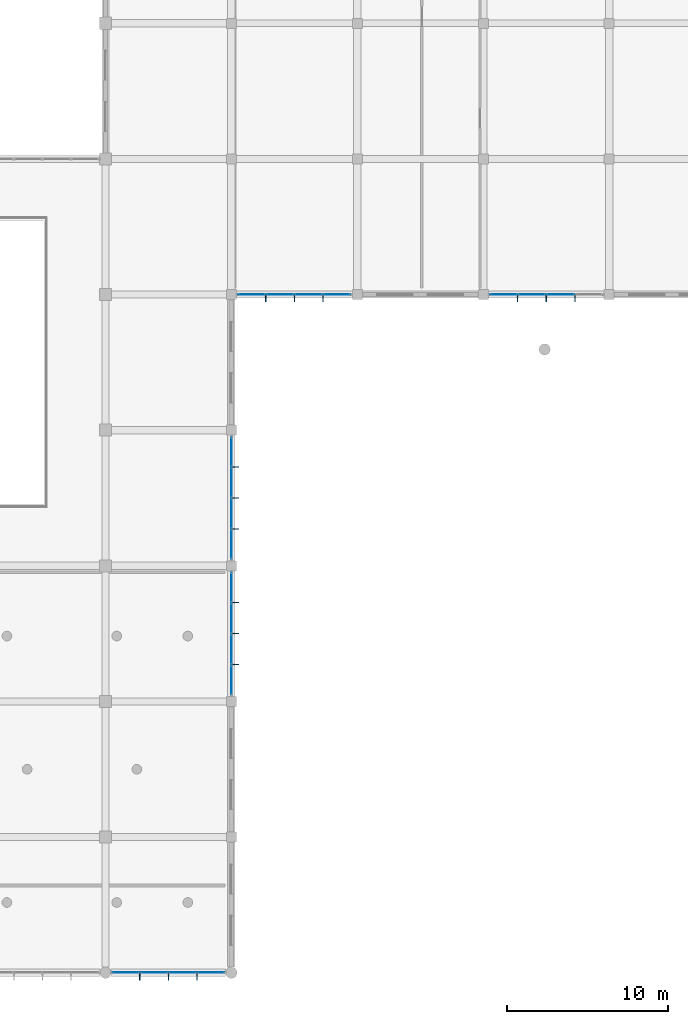
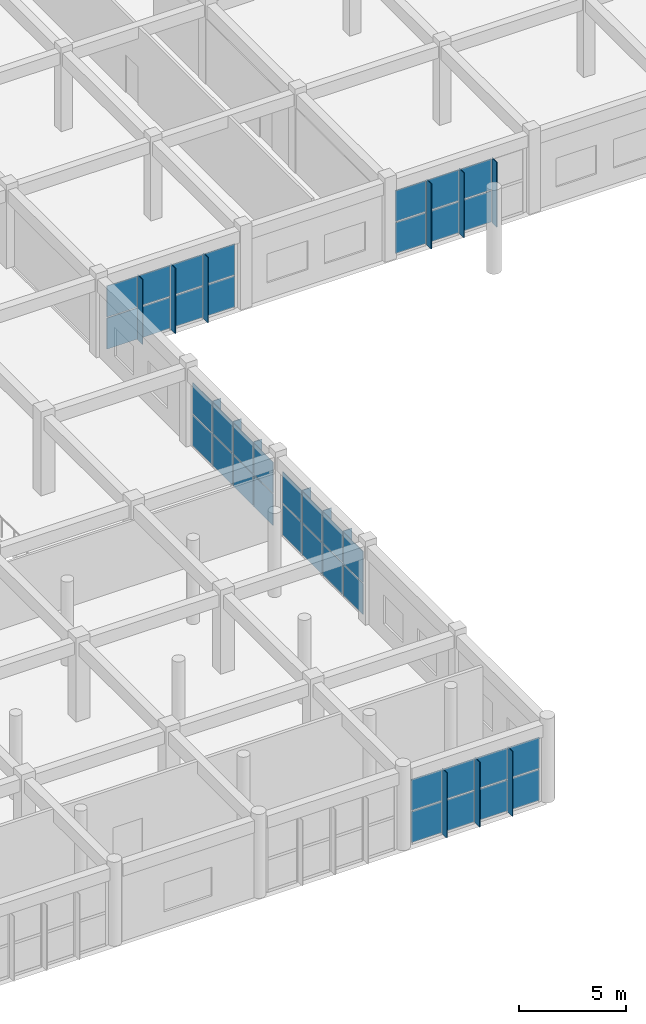
# One storey, part 139 of 167: 53 plates, 5 elements without a shape of their own.
"""IFC4 building model written with IfcOpenShell, lengths in metres."""

from ifc_helpers import new_model, si_unit, direction, frame, origin, origin_2d, place, context, subcontext, project, spatial, polyline, rectangle, outline, extrude, material, layer, layer_set, type_object, element, aggregate, save


model = new_model("IFC4")

# Units and contexts
model_context = context("Model", 3, precision=1e-05, world=origin(), true_north=direction((0.0, 1.0)))
body_context = subcontext(model_context, "Body", "Model", "MODEL_VIEW")
ifc_project = project(units=[si_unit("LENGTHUNIT", "METRE"), si_unit("AREAUNIT", "SQUARE_METRE"), si_unit("VOLUMEUNIT", "CUBIC_METRE"), si_unit("PLANEANGLEUNIT", "RADIAN"), si_unit("MASSUNIT", "GRAM", prefix="KILO")], contexts=[model_context])

# Site, building, storey
site_placement = place(None, origin())
site = spatial("IfcSite", under=ifc_project, at=site_placement, CompositionType="ELEMENT")
building_placement = place(site_placement, origin())
building = spatial("IfcBuilding", under=site, at=building_placement, Name="Zizhar Promenade General Hospital", CompositionType="ELEMENT")
storey_placement = place(building_placement, frame((0.0, 0.0, 9.60009765625)))
storey = spatial("IfcBuildingStorey", under=building, at=storey_placement, Name="L02", CompositionType="ELEMENT", Elevation=9.60009765625)

# Curtain wall, plates
ifc_material_1 = material(Name="Anodised aluminium 6063-T6 and low-E glass", Category="aluminium")
ifc_layer_1 = layer(ifc_material_1, 0.159912109375)
ifc_layer_set_1 = layer_set([ifc_layer_1], Name="Anodised aluminium 6063-T6 and low-E glass")
curtain_wall_type_1 = type_object("IfcCurtainWallType", Name="CW-DT-MOD1", PredefinedType="NOTDEFINED", material=ifc_layer_set_1)
curtain_wall_1_placement = place(storey_placement, origin())
curtain_wall_1 = element("IfcCurtainWall", 1, at=curtain_wall_1_placement, inside=storey, type_object=curtain_wall_type_1, Name="Riverfront Clinical Curtain Wall L02-15", PredefinedType="NOTDEFINED")
ifc_material_2 = material(Name="Low-E solar-control glass", Category="glass")
ifc_layer_2 = layer(ifc_material_2, 0.031982421875)
ifc_layer_set_2 = layer_set([ifc_layer_2], Name="Low-E solar-control glass")
plate_type_1 = type_object("IfcPlateType", Name="CWP-GLZ-32", PredefinedType="CURTAIN_PANEL", material=ifc_layer_set_2)
plate_1_placement = place(storey_placement, frame((131.3349609375, 0.0, 0.06005859375), z_axis=(0.0, 0.0, 1.0), x_axis=(-1.0, 0.0, 0.0)))
plate_1 = element("IfcPlate", 2, at=plate_1_placement, type_object=plate_type_1, Name="CW-07 panel 1.1", PredefinedType="CURTAIN_PANEL", context=body_context, shape_type="SweptSolid", body=[
    extrude(rectangle(XDim=1.64990234375, YDim=0.031982421875, at=origin_2d()), origin(), (0.0, 0.0, 1.0), 1.77490234375),
])
plate_2_placement = place(storey_placement, frame((131.3349609375, 0.0, 1.89501953125), z_axis=(0.0, 0.0, 1.0), x_axis=(-1.0, 0.0, 0.0)))
plate_2 = element("IfcPlate", 3, at=plate_2_placement, type_object=plate_type_1, Name="CW-07 panel 1.2", PredefinedType="CURTAIN_PANEL", context=body_context, shape_type="SweptSolid", body=[
    extrude(rectangle(XDim=1.64990234375, YDim=0.031982421875, at=origin_2d()), origin(), (0.0, 0.0, 1.0), 1.77490234375),
])
plate_3_placement = place(storey_placement, frame((129.5849609375, 0.0, 0.06005859375), z_axis=(0.0, 0.0, 1.0), x_axis=(-1.0, 0.0, 0.0)))
plate_3 = element("IfcPlate", 4, at=plate_3_placement, type_object=plate_type_1, Name="CW-07 panel 2.1", PredefinedType="CURTAIN_PANEL", context=body_context, shape_type="SweptSolid", body=[
    extrude(rectangle(XDim=1.68994140625, YDim=0.031982421875, at=origin_2d()), origin(), (0.0, 0.0, 1.0), 1.77490234375),
])
plate_4_placement = place(storey_placement, frame((129.5849609375, 0.0, 1.89501953125), z_axis=(0.0, 0.0, 1.0), x_axis=(-1.0, 0.0, 0.0)))
plate_4 = element("IfcPlate", 5, at=plate_4_placement, type_object=plate_type_1, Name="CW-07 panel 2.2", PredefinedType="CURTAIN_PANEL", context=body_context, shape_type="SweptSolid", body=[
    extrude(rectangle(XDim=1.68994140625, YDim=0.031982421875, at=origin_2d()), origin(), (0.0, 0.0, 1.0), 1.77490234375),
])
plate_5_placement = place(storey_placement, frame((127.81494140625, 0.0, 0.06005859375), z_axis=(0.0, 0.0, 1.0), x_axis=(-1.0, 0.0, 0.0)))
plate_5 = element("IfcPlate", 6, at=plate_5_placement, type_object=plate_type_1, Name="CW-07 panel 3.1", PredefinedType="CURTAIN_PANEL", context=body_context, shape_type="SweptSolid", body=[
    extrude(rectangle(XDim=1.68994140625, YDim=0.031982421875, at=origin_2d()), origin(), (0.0, 0.0, 1.0), 1.77490234375),
])
plate_6_placement = place(storey_placement, frame((127.81494140625, 0.0, 1.89501953125), z_axis=(0.0, 0.0, 1.0), x_axis=(-1.0, 0.0, 0.0)))
plate_6 = element("IfcPlate", 7, at=plate_6_placement, type_object=plate_type_1, Name="CW-07 panel 3.2", PredefinedType="CURTAIN_PANEL", context=body_context, shape_type="SweptSolid", body=[
    extrude(rectangle(XDim=1.68994140625, YDim=0.031982421875, at=origin_2d()), origin(), (0.0, 0.0, 1.0), 1.77490234375),
])
plate_7_placement = place(storey_placement, frame((126.06494140625, 0.0, 0.06005859375), z_axis=(0.0, 0.0, 1.0), x_axis=(-1.0, 0.0, 0.0)))
plate_7 = element("IfcPlate", 8, at=plate_7_placement, type_object=plate_type_1, Name="CW-07 panel 4.1", PredefinedType="CURTAIN_PANEL", context=body_context, shape_type="SweptSolid", body=[
    extrude(rectangle(XDim=1.64990234375, YDim=0.031982421875, at=origin_2d()), origin(), (0.0, 0.0, 1.0), 1.77490234375),
])
plate_8_placement = place(storey_placement, frame((126.06494140625, 0.0, 1.89501953125), z_axis=(0.0, 0.0, 1.0), x_axis=(-1.0, 0.0, 0.0)))
plate_8 = element("IfcPlate", 9, at=plate_8_placement, type_object=plate_type_1, Name="CW-07 panel 4.2", PredefinedType="CURTAIN_PANEL", context=body_context, shape_type="SweptSolid", body=[
    extrude(rectangle(XDim=1.64990234375, YDim=0.031982421875, at=origin_2d()), origin(), (0.0, 0.0, 1.0), 1.77490234375),
])
aggregate(curtain_wall_1, [plate_1, plate_2, plate_3, plate_4, plate_5, plate_6, plate_7, plate_8])

ifc_material_3 = material(Name="Anodised aluminium 6063-T6 and low-E glass", Category="aluminium")
ifc_layer_3 = layer(ifc_material_3, 0.159912109375)
ifc_layer_set_3 = layer_set([ifc_layer_3], Name="Anodised aluminium 6063-T6 and low-E glass")
curtain_wall_type_2 = type_object("IfcCurtainWallType", Name="CW-CLN-EXT", PredefinedType="NOTDEFINED", material=ifc_layer_set_3)
curtain_wall_2_placement = place(storey_placement, origin())
curtain_wall_2 = element("IfcCurtainWall", 10, at=curtain_wall_2_placement, inside=storey, type_object=curtain_wall_type_2, Name="Outpatient Forecourt Curtain Wall L02-17", PredefinedType="NOTDEFINED")
plate_9_placement = place(storey_placement, frame((139.135009765625, 42.0, 0.06005859375), z_axis=(0.0, 0.0, 1.0), x_axis=(-1.0, 0.0, 0.0)))
plate_9 = element("IfcPlate", 11, at=plate_9_placement, type_object=plate_type_1, Name="CW-09 panel 1.1", PredefinedType="CURTAIN_PANEL", context=body_context, shape_type="SweptSolid", body=[
    extrude(rectangle(XDim=1.64990234375, YDim=0.031982421875, at=origin_2d()), origin(), (0.0, 0.0, 1.0), 1.77490234375),
])
plate_10_placement = place(storey_placement, frame((139.135009765625, 42.0, 1.89501953125), z_axis=(0.0, 0.0, 1.0), x_axis=(-1.0, 0.0, 0.0)))
plate_10 = element("IfcPlate", 12, at=plate_10_placement, type_object=plate_type_1, Name="CW-09 panel 1.2", PredefinedType="CURTAIN_PANEL", context=body_context, shape_type="SweptSolid", body=[
    extrude(rectangle(XDim=1.64990234375, YDim=0.031982421875, at=origin_2d()), origin(), (0.0, 0.0, 1.0), 1.77490234375),
])
plate_11_placement = place(storey_placement, frame((137.385009765625, 42.0, 0.06005859375), z_axis=(0.0, 0.0, 1.0), x_axis=(-1.0, 0.0, 0.0)))
plate_11 = element("IfcPlate", 13, at=plate_11_placement, type_object=plate_type_1, Name="CW-09 panel 2.1", PredefinedType="CURTAIN_PANEL", context=body_context, shape_type="SweptSolid", body=[
    extrude(rectangle(XDim=1.68994140625, YDim=0.031982421875, at=origin_2d()), origin(), (0.0, 0.0, 1.0), 1.77490234375),
])
plate_12_placement = place(storey_placement, frame((137.385009765625, 42.0, 1.89501953125), z_axis=(0.0, 0.0, 1.0), x_axis=(-1.0, 0.0, 0.0)))
plate_12 = element("IfcPlate", 14, at=plate_12_placement, type_object=plate_type_1, Name="CW-09 panel 2.2", PredefinedType="CURTAIN_PANEL", context=body_context, shape_type="SweptSolid", body=[
    extrude(rectangle(XDim=1.68994140625, YDim=0.031982421875, at=origin_2d()), origin(), (0.0, 0.0, 1.0), 1.77490234375),
])
plate_13_placement = place(storey_placement, frame((135.614990234375, 42.0, 0.06005859375), z_axis=(0.0, 0.0, 1.0), x_axis=(-1.0, 0.0, 0.0)))
plate_13 = element("IfcPlate", 15, at=plate_13_placement, type_object=plate_type_1, Name="CW-09 panel 3.1", PredefinedType="CURTAIN_PANEL", context=body_context, shape_type="SweptSolid", body=[
    extrude(rectangle(XDim=1.68994140625, YDim=0.031982421875, at=origin_2d()), origin(), (0.0, 0.0, 1.0), 1.77490234375),
])
plate_14_placement = place(storey_placement, frame((135.614990234375, 42.0, 1.89501953125), z_axis=(0.0, 0.0, 1.0), x_axis=(-1.0, 0.0, 0.0)))
plate_14 = element("IfcPlate", 16, at=plate_14_placement, type_object=plate_type_1, Name="CW-09 panel 3.2", PredefinedType="CURTAIN_PANEL", context=body_context, shape_type="SweptSolid", body=[
    extrude(rectangle(XDim=1.68994140625, YDim=0.031982421875, at=origin_2d()), origin(), (0.0, 0.0, 1.0), 1.77490234375),
])
plate_15_placement = place(storey_placement, frame((133.864990234375, 42.0, 0.06005859375), z_axis=(0.0, 0.0, 1.0), x_axis=(-1.0, 0.0, 0.0)))
plate_15 = element("IfcPlate", 17, at=plate_15_placement, type_object=plate_type_1, Name="CW-09 panel 4.1", PredefinedType="CURTAIN_PANEL", context=body_context, shape_type="SweptSolid", body=[
    extrude(rectangle(XDim=1.64990234375, YDim=0.031982421875, at=origin_2d()), origin(), (0.0, 0.0, 1.0), 1.77490234375),
])
plate_16_placement = place(storey_placement, frame((133.864990234375, 42.0, 1.89501953125), z_axis=(0.0, 0.0, 1.0), x_axis=(-1.0, 0.0, 0.0)))
plate_16 = element("IfcPlate", 18, at=plate_16_placement, type_object=plate_type_1, Name="CW-09 panel 4.2", PredefinedType="CURTAIN_PANEL", context=body_context, shape_type="SweptSolid", body=[
    extrude(rectangle(XDim=1.64990234375, YDim=0.031982421875, at=origin_2d()), origin(), (0.0, 0.0, 1.0), 1.77490234375),
])
aggregate(curtain_wall_2, [plate_9, plate_10, plate_11, plate_12, plate_13, plate_14, plate_15, plate_16])

curtain_wall_3_placement = place(storey_placement, origin())
curtain_wall_3 = element("IfcCurtainWall", 19, at=curtain_wall_3_placement, inside=storey, type_object=curtain_wall_type_2, Name="Outpatient Forecourt Curtain Wall L02-19", PredefinedType="NOTDEFINED")
plate_17_placement = place(storey_placement, frame((152.985107421875, 42.0, 0.06005859375), z_axis=(0.0, 0.0, 1.0), x_axis=(-1.0, 0.0, 0.0)))
plate_17 = element("IfcPlate", 20, at=plate_17_placement, type_object=plate_type_1, Name="CW-09 panel 2.1", PredefinedType="CURTAIN_PANEL", context=body_context, shape_type="SweptSolid", body=[
    extrude(rectangle(XDim=1.68994140625, YDim=0.031982421875, at=origin_2d()), origin(), (0.0, 0.0, 1.0), 1.77490234375),
])
plate_18_placement = place(storey_placement, frame((152.985107421875, 42.0, 1.89501953125), z_axis=(0.0, 0.0, 1.0), x_axis=(-1.0, 0.0, 0.0)))
plate_18 = element("IfcPlate", 21, at=plate_18_placement, type_object=plate_type_1, Name="CW-09 panel 2.2", PredefinedType="CURTAIN_PANEL", context=body_context, shape_type="SweptSolid", body=[
    extrude(rectangle(XDim=1.68994140625, YDim=0.031982421875, at=origin_2d()), origin(), (0.0, 0.0, 1.0), 1.77490234375),
])
plate_19_placement = place(storey_placement, frame((151.215087890625, 42.0, 0.06005859375), z_axis=(0.0, 0.0, 1.0), x_axis=(-1.0, 0.0, 0.0)))
plate_19 = element("IfcPlate", 22, at=plate_19_placement, type_object=plate_type_1, Name="CW-09 panel 3.1", PredefinedType="CURTAIN_PANEL", context=body_context, shape_type="SweptSolid", body=[
    extrude(rectangle(XDim=1.68994140625, YDim=0.031982421875, at=origin_2d()), origin(), (0.0, 0.0, 1.0), 1.77490234375),
])
plate_20_placement = place(storey_placement, frame((151.215087890625, 42.0, 1.89501953125), z_axis=(0.0, 0.0, 1.0), x_axis=(-1.0, 0.0, 0.0)))
plate_20 = element("IfcPlate", 23, at=plate_20_placement, type_object=plate_type_1, Name="CW-09 panel 3.2", PredefinedType="CURTAIN_PANEL", context=body_context, shape_type="SweptSolid", body=[
    extrude(rectangle(XDim=1.68994140625, YDim=0.031982421875, at=origin_2d()), origin(), (0.0, 0.0, 1.0), 1.77490234375),
])
plate_21_placement = place(storey_placement, frame((149.465087890625, 42.0, 0.06005859375), z_axis=(0.0, 0.0, 1.0), x_axis=(-1.0, 0.0, 0.0)))
plate_21 = element("IfcPlate", 24, at=plate_21_placement, type_object=plate_type_1, Name="CW-09 panel 4.1", PredefinedType="CURTAIN_PANEL", context=body_context, shape_type="SweptSolid", body=[
    extrude(rectangle(XDim=1.64990234375, YDim=0.031982421875, at=origin_2d()), origin(), (0.0, 0.0, 1.0), 1.77490234375),
])
plate_22_placement = place(storey_placement, frame((149.465087890625, 42.0, 1.89501953125), z_axis=(0.0, 0.0, 1.0), x_axis=(-1.0, 0.0, 0.0)))
plate_22 = element("IfcPlate", 25, at=plate_22_placement, type_object=plate_type_1, Name="CW-09 panel 4.2", PredefinedType="CURTAIN_PANEL", context=body_context, shape_type="SweptSolid", body=[
    extrude(rectangle(XDim=1.64990234375, YDim=0.031982421875, at=origin_2d()), origin(), (0.0, 0.0, 1.0), 1.77490234375),
])
aggregate(curtain_wall_3, [plate_17, plate_18, plate_19, plate_20, plate_21, plate_22])

ifc_material_4 = material(Name="Anodised aluminium 6063-T6 and low-E glass", Category="aluminium")
ifc_layer_4 = layer(ifc_material_4, 0.159912109375)
ifc_layer_set_4 = layer_set([ifc_layer_4], Name="Anodised aluminium 6063-T6 and low-E glass")
curtain_wall_type_3 = type_object("IfcCurtainWallType", Name="CW-HALL-S", PredefinedType="NOTDEFINED", material=ifc_layer_set_4)
curtain_wall_4_placement = place(storey_placement, origin())
curtain_wall_4 = element("IfcCurtainWall", 26, at=curtain_wall_4_placement, inside=storey, type_object=curtain_wall_type_3, Name="Forecourt Arrival Glazed Curtain Wall L02-2", PredefinedType="NOTDEFINED")
plate_23_placement = place(storey_placement, frame((132.60009765625, 23.860107421875, 0.06005859375), z_axis=(0.0, 0.0, 1.0), x_axis=(0.0, -1.0, 0.0)))
plate_23 = element("IfcPlate", 27, at=plate_23_placement, type_object=plate_type_1, Name="CW-01 panel 1.1", PredefinedType="CURTAIN_PANEL", context=body_context, shape_type="SweptSolid", body=[
    extrude(rectangle(XDim=1.800048828125, YDim=0.031982421875, at=origin_2d()), origin(), (0.0, 0.0, 1.0), 1.77490234375),
])
plate_24_placement = place(storey_placement, frame((132.60009765625, 23.860107421875, 1.89501953125), z_axis=(0.0, 0.0, 1.0), x_axis=(0.0, -1.0, 0.0)))
plate_24 = element("IfcPlate", 28, at=plate_24_placement, type_object=plate_type_1, Name="CW-01 panel 1.2", PredefinedType="CURTAIN_PANEL", context=body_context, shape_type="SweptSolid", body=[
    extrude(rectangle(XDim=1.800048828125, YDim=0.031982421875, at=origin_2d()), origin(), (0.0, 0.0, 1.0), 1.77490234375),
])
plate_25_placement = place(storey_placement, frame((132.60009765625, 21.9599609375, 0.06005859375), z_axis=(0.0, 0.0, 1.0), x_axis=(0.0, -1.0, 0.0)))
plate_25 = element("IfcPlate", 29, at=plate_25_placement, type_object=plate_type_1, Name="CW-01 panel 2.1", PredefinedType="CURTAIN_PANEL", context=body_context, shape_type="SweptSolid", body=[
    extrude(rectangle(XDim=1.840087890625, YDim=0.031982421875, at=origin_2d()), origin(), (0.0, 0.0, 1.0), 1.77490234375),
])
plate_26_placement = place(storey_placement, frame((132.60009765625, 21.9599609375, 1.89501953125), z_axis=(0.0, 0.0, 1.0), x_axis=(0.0, -1.0, 0.0)))
plate_26 = element("IfcPlate", 30, at=plate_26_placement, type_object=plate_type_1, Name="CW-01 panel 2.2", PredefinedType="CURTAIN_PANEL", context=body_context, shape_type="SweptSolid", body=[
    extrude(rectangle(XDim=1.840087890625, YDim=0.031982421875, at=origin_2d()), origin(), (0.0, 0.0, 1.0), 1.77490234375),
])
plate_27_placement = place(storey_placement, frame((132.60009765625, 20.0400390625, 0.06005859375), z_axis=(0.0, 0.0, 1.0), x_axis=(0.0, -1.0, 0.0)))
plate_27 = element("IfcPlate", 31, at=plate_27_placement, type_object=plate_type_1, Name="CW-01 panel 3.1", PredefinedType="CURTAIN_PANEL", context=body_context, shape_type="SweptSolid", body=[
    extrude(rectangle(XDim=1.840087890625, YDim=0.031982421875, at=origin_2d()), origin(), (0.0, 0.0, 1.0), 1.77490234375),
])
plate_28_placement = place(storey_placement, frame((132.60009765625, 20.0400390625, 1.89501953125), z_axis=(0.0, 0.0, 1.0), x_axis=(0.0, -1.0, 0.0)))
plate_28 = element("IfcPlate", 32, at=plate_28_placement, type_object=plate_type_1, Name="CW-01 panel 3.2", PredefinedType="CURTAIN_PANEL", context=body_context, shape_type="SweptSolid", body=[
    extrude(rectangle(XDim=1.840087890625, YDim=0.031982421875, at=origin_2d()), origin(), (0.0, 0.0, 1.0), 1.77490234375),
])
plate_29_placement = place(storey_placement, frame((132.60009765625, 18.139892578125, 0.06005859375), z_axis=(0.0, 0.0, 1.0), x_axis=(0.0, -1.0, 0.0)))
plate_29 = element("IfcPlate", 33, at=plate_29_placement, type_object=plate_type_1, Name="CW-01 panel 4.1", PredefinedType="CURTAIN_PANEL", context=body_context, shape_type="SweptSolid", body=[
    extrude(rectangle(XDim=1.800048828125, YDim=0.031982421875, at=origin_2d()), origin(), (0.0, 0.0, 1.0), 1.77490234375),
])
plate_30_placement = place(storey_placement, frame((132.60009765625, 18.139892578125, 1.89501953125), z_axis=(0.0, 0.0, 1.0), x_axis=(0.0, -1.0, 0.0)))
plate_30 = element("IfcPlate", 34, at=plate_30_placement, type_object=plate_type_1, Name="CW-01 panel 4.2", PredefinedType="CURTAIN_PANEL", context=body_context, shape_type="SweptSolid", body=[
    extrude(rectangle(XDim=1.800048828125, YDim=0.031982421875, at=origin_2d()), origin(), (0.0, 0.0, 1.0), 1.77490234375),
])
aggregate(curtain_wall_4, [plate_23, plate_24, plate_25, plate_26, plate_27, plate_28, plate_29, plate_30])

curtain_wall_5_placement = place(storey_placement, origin())
curtain_wall_5 = element("IfcCurtainWall", 35, at=curtain_wall_5_placement, inside=storey, type_object=curtain_wall_type_3, Name="Forecourt Arrival Glazed Curtain Wall L02-3", PredefinedType="NOTDEFINED")
plate_31_placement = place(storey_placement, frame((132.60009765625, 32.260009765625, 0.06005859375), z_axis=(0.0, 0.0, 1.0), x_axis=(0.0, -1.0, 0.0)))
plate_31 = element("IfcPlate", 36, at=plate_31_placement, type_object=plate_type_1, Name="CW-01 panel 1.1", PredefinedType="CURTAIN_PANEL", context=body_context, shape_type="SweptSolid", body=[
    extrude(rectangle(XDim=1.800048828125, YDim=0.031982421875, at=origin_2d()), origin(), (0.0, 0.0, 1.0), 1.77490234375),
])
plate_32_placement = place(storey_placement, frame((132.60009765625, 32.260009765625, 1.89501953125), z_axis=(0.0, 0.0, 1.0), x_axis=(0.0, -1.0, 0.0)))
plate_32 = element("IfcPlate", 37, at=plate_32_placement, type_object=plate_type_1, Name="CW-01 panel 1.2", PredefinedType="CURTAIN_PANEL", context=body_context, shape_type="SweptSolid", body=[
    extrude(rectangle(XDim=1.800048828125, YDim=0.031982421875, at=origin_2d()), origin(), (0.0, 0.0, 1.0), 1.77490234375),
])
plate_33_placement = place(storey_placement, frame((132.60009765625, 30.360107421875, 0.06005859375), z_axis=(0.0, 0.0, 1.0), x_axis=(0.0, -1.0, 0.0)))
plate_33 = element("IfcPlate", 38, at=plate_33_placement, type_object=plate_type_1, Name="CW-01 panel 2.1", PredefinedType="CURTAIN_PANEL", context=body_context, shape_type="SweptSolid", body=[
    extrude(rectangle(XDim=1.840087890625, YDim=0.031982421875, at=origin_2d()), origin(), (0.0, 0.0, 1.0), 1.77490234375),
])
plate_34_placement = place(storey_placement, frame((132.60009765625, 30.360107421875, 1.89501953125), z_axis=(0.0, 0.0, 1.0), x_axis=(0.0, -1.0, 0.0)))
plate_34 = element("IfcPlate", 39, at=plate_34_placement, type_object=plate_type_1, Name="CW-01 panel 2.2", PredefinedType="CURTAIN_PANEL", context=body_context, shape_type="SweptSolid", body=[
    extrude(rectangle(XDim=1.840087890625, YDim=0.031982421875, at=origin_2d()), origin(), (0.0, 0.0, 1.0), 1.77490234375),
])
plate_35_placement = place(storey_placement, frame((132.60009765625, 28.43994140625, 0.06005859375), z_axis=(0.0, 0.0, 1.0), x_axis=(0.0, -1.0, 0.0)))
plate_35 = element("IfcPlate", 40, at=plate_35_placement, type_object=plate_type_1, Name="CW-01 panel 3.1", PredefinedType="CURTAIN_PANEL", context=body_context, shape_type="SweptSolid", body=[
    extrude(rectangle(XDim=1.840087890625, YDim=0.031982421875, at=origin_2d()), origin(), (0.0, 0.0, 1.0), 1.77490234375),
])
plate_36_placement = place(storey_placement, frame((132.60009765625, 28.43994140625, 1.89501953125), z_axis=(0.0, 0.0, 1.0), x_axis=(0.0, -1.0, 0.0)))
plate_36 = element("IfcPlate", 41, at=plate_36_placement, type_object=plate_type_1, Name="CW-01 panel 3.2", PredefinedType="CURTAIN_PANEL", context=body_context, shape_type="SweptSolid", body=[
    extrude(rectangle(XDim=1.840087890625, YDim=0.031982421875, at=origin_2d()), origin(), (0.0, 0.0, 1.0), 1.77490234375),
])
plate_37_placement = place(storey_placement, frame((132.60009765625, 26.5400390625, 0.06005859375), z_axis=(0.0, 0.0, 1.0), x_axis=(0.0, -1.0, 0.0)))
plate_37 = element("IfcPlate", 42, at=plate_37_placement, type_object=plate_type_1, Name="CW-01 panel 4.1", PredefinedType="CURTAIN_PANEL", context=body_context, shape_type="SweptSolid", body=[
    extrude(rectangle(XDim=1.800048828125, YDim=0.031982421875, at=origin_2d()), origin(), (0.0, 0.0, 1.0), 1.77490234375),
])
plate_38_placement = place(storey_placement, frame((132.60009765625, 26.5400390625, 1.89501953125), z_axis=(0.0, 0.0, 1.0), x_axis=(0.0, -1.0, 0.0)))
plate_38 = element("IfcPlate", 43, at=plate_38_placement, type_object=plate_type_1, Name="CW-01 panel 4.2", PredefinedType="CURTAIN_PANEL", context=body_context, shape_type="SweptSolid", body=[
    extrude(rectangle(XDim=1.800048828125, YDim=0.031982421875, at=origin_2d()), origin(), (0.0, 0.0, 1.0), 1.77490234375),
])
aggregate(curtain_wall_5, [plate_31, plate_32, plate_33, plate_34, plate_35, plate_36, plate_37, plate_38])

# Plates
ifc_material_5 = material(Name="Anodised aluminium 6063-T6", Category="aluminium")
ifc_layer_5 = layer(ifc_material_5, 0.0400390625)
ifc_layer_set_5 = layer_set([ifc_layer_5], Name="Anodised aluminium 6063-T6")
plate_type_2 = type_object("IfcPlateType", Name="FIN-ALU-450", PredefinedType="USERDEFINED", material=ifc_layer_set_5)
plate_39_placement = place(storey_placement, origin())
element("IfcPlate", 44, at=plate_39_placement, inside=storey, type_object=plate_type_2, Name="Riverfront Clinical Curtain Wall L02-15 Solar Fin 1", ObjectType="SOLAR_SHADE", PredefinedType="USERDEFINED", context=body_context, shape_type="SweptSolid", body=[
    extrude(outline(polyline([(130.489990234375, 0.0), (130.449951171875, 0.0), (130.449951171875, -0.449951171875), (130.489990234375, -0.449951171875), (130.489990234375, 0.0)])), origin(), (0.0, 0.0, 1.0), 3.72998046875),
])
plate_40_placement = place(storey_placement, origin())
element("IfcPlate", 45, at=plate_40_placement, inside=storey, type_object=plate_type_2, Name="Riverfront Clinical Curtain Wall L02-15 Solar Fin 2", ObjectType="SOLAR_SHADE", PredefinedType="USERDEFINED", context=body_context, shape_type="SweptSolid", body=[
    extrude(outline(polyline([(128.719970703125, 0.0), (128.679931640625, 0.0), (128.679931640625, -0.449951171875), (128.719970703125, -0.449951171875), (128.719970703125, 0.0)])), origin(), (0.0, 0.0, 1.0), 3.72998046875),
])
plate_41_placement = place(storey_placement, origin())
element("IfcPlate", 46, at=plate_41_placement, inside=storey, type_object=plate_type_2, Name="Riverfront Clinical Curtain Wall L02-15 Solar Fin 3", ObjectType="SOLAR_SHADE", PredefinedType="USERDEFINED", context=body_context, shape_type="SweptSolid", body=[
    extrude(outline(polyline([(126.949951171875, 0.0), (126.909912109375, 0.0), (126.909912109375, -0.449951171875), (126.949951171875, -0.449951171875), (126.949951171875, 0.0)])), origin(), (0.0, 0.0, 1.0), 3.72998046875),
])
plate_42_placement = place(storey_placement, origin())
element("IfcPlate", 47, at=plate_42_placement, inside=storey, type_object=plate_type_2, Name="Outpatient Forecourt Curtain Wall L02-17 Solar Fin 1", ObjectType="SOLAR_SHADE", PredefinedType="USERDEFINED", context=body_context, shape_type="SweptSolid", body=[
    extrude(outline(polyline([(138.2900390625, 42.0), (138.25, 42.0), (138.25, 41.550048828125), (138.2900390625, 41.550048828125), (138.2900390625, 42.0)])), origin(), (0.0, 0.0, 1.0), 3.72998046875),
])
plate_43_placement = place(storey_placement, origin())
element("IfcPlate", 48, at=plate_43_placement, inside=storey, type_object=plate_type_2, Name="Outpatient Forecourt Curtain Wall L02-17 Solar Fin 2", ObjectType="SOLAR_SHADE", PredefinedType="USERDEFINED", context=body_context, shape_type="SweptSolid", body=[
    extrude(outline(polyline([(136.52001953125, 42.0), (136.47998046875, 42.0), (136.47998046875, 41.550048828125), (136.52001953125, 41.550048828125), (136.52001953125, 42.0)])), origin(), (0.0, 0.0, 1.0), 3.72998046875),
])
plate_44_placement = place(storey_placement, origin())
element("IfcPlate", 49, at=plate_44_placement, inside=storey, type_object=plate_type_2, Name="Outpatient Forecourt Curtain Wall L02-17 Solar Fin 3", ObjectType="SOLAR_SHADE", PredefinedType="USERDEFINED", context=body_context, shape_type="SweptSolid", body=[
    extrude(outline(polyline([(134.75, 42.0), (134.7099609375, 42.0), (134.7099609375, 41.550048828125), (134.75, 41.550048828125), (134.75, 42.0)])), origin(), (0.0, 0.0, 1.0), 3.72998046875),
])
plate_45_placement = place(storey_placement, origin())
element("IfcPlate", 50, at=plate_45_placement, inside=storey, type_object=plate_type_2, Name="Outpatient Forecourt Curtain Wall L02-19 Solar Fin 1", ObjectType="SOLAR_SHADE", PredefinedType="USERDEFINED", context=body_context, shape_type="SweptSolid", body=[
    extrude(outline(polyline([(153.889892578125, 42.0), (153.85009765625, 42.0), (153.85009765625, 41.550048828125), (153.889892578125, 41.550048828125), (153.889892578125, 42.0)])), origin(), (0.0, 0.0, 1.0), 3.72998046875),
])
plate_46_placement = place(storey_placement, origin())
element("IfcPlate", 51, at=plate_46_placement, inside=storey, type_object=plate_type_2, Name="Outpatient Forecourt Curtain Wall L02-19 Solar Fin 2", ObjectType="SOLAR_SHADE", PredefinedType="USERDEFINED", context=body_context, shape_type="SweptSolid", body=[
    extrude(outline(polyline([(152.1201171875, 42.0), (152.080078125, 42.0), (152.080078125, 41.550048828125), (152.1201171875, 41.550048828125), (152.1201171875, 42.0)])), origin(), (0.0, 0.0, 1.0), 3.72998046875),
])
plate_47_placement = place(storey_placement, origin())
element("IfcPlate", 52, at=plate_47_placement, inside=storey, type_object=plate_type_2, Name="Outpatient Forecourt Curtain Wall L02-19 Solar Fin 3", ObjectType="SOLAR_SHADE", PredefinedType="USERDEFINED", context=body_context, shape_type="SweptSolid", body=[
    extrude(outline(polyline([(150.35009765625, 42.0), (150.31005859375, 42.0), (150.31005859375, 41.550048828125), (150.35009765625, 41.550048828125), (150.35009765625, 42.0)])), origin(), (0.0, 0.0, 1.0), 3.72998046875),
])
plate_48_placement = place(storey_placement, origin())
element("IfcPlate", 53, at=plate_48_placement, inside=storey, type_object=plate_type_2, Name="Forecourt Arrival Glazed Curtain Wall L02-2 Solar Fin 1", ObjectType="SOLAR_SHADE", PredefinedType="USERDEFINED", context=body_context, shape_type="SweptSolid", body=[
    extrude(outline(polyline([(132.60009765625, 22.93994140625), (132.60009765625, 22.89990234375), (133.050048828125, 22.89990234375), (133.050048828125, 22.93994140625), (132.60009765625, 22.93994140625)])), origin(), (0.0, 0.0, 1.0), 3.72998046875),
])
plate_49_placement = place(storey_placement, origin())
element("IfcPlate", 54, at=plate_49_placement, inside=storey, type_object=plate_type_2, Name="Forecourt Arrival Glazed Curtain Wall L02-2 Solar Fin 2", ObjectType="SOLAR_SHADE", PredefinedType="USERDEFINED", context=body_context, shape_type="SweptSolid", body=[
    extrude(outline(polyline([(132.60009765625, 21.02001953125), (132.60009765625, 20.97998046875), (133.050048828125, 20.97998046875), (133.050048828125, 21.02001953125), (132.60009765625, 21.02001953125)])), origin(), (0.0, 0.0, 1.0), 3.72998046875),
])
plate_50_placement = place(storey_placement, origin())
element("IfcPlate", 55, at=plate_50_placement, inside=storey, type_object=plate_type_2, Name="Forecourt Arrival Glazed Curtain Wall L02-2 Solar Fin 3", ObjectType="SOLAR_SHADE", PredefinedType="USERDEFINED", context=body_context, shape_type="SweptSolid", body=[
    extrude(outline(polyline([(132.60009765625, 19.10009765625), (132.60009765625, 19.06005859375), (133.050048828125, 19.06005859375), (133.050048828125, 19.10009765625), (132.60009765625, 19.10009765625)])), origin(), (0.0, 0.0, 1.0), 3.72998046875),
])
plate_51_placement = place(storey_placement, origin())
element("IfcPlate", 56, at=plate_51_placement, inside=storey, type_object=plate_type_2, Name="Forecourt Arrival Glazed Curtain Wall L02-3 Solar Fin 1", ObjectType="SOLAR_SHADE", PredefinedType="USERDEFINED", context=body_context, shape_type="SweptSolid", body=[
    extrude(outline(polyline([(132.60009765625, 31.340087890625), (132.60009765625, 31.300048828125), (133.050048828125, 31.300048828125), (133.050048828125, 31.340087890625), (132.60009765625, 31.340087890625)])), origin(), (0.0, 0.0, 1.0), 3.72998046875),
])
plate_52_placement = place(storey_placement, origin())
element("IfcPlate", 57, at=plate_52_placement, inside=storey, type_object=plate_type_2, Name="Forecourt Arrival Glazed Curtain Wall L02-3 Solar Fin 2", ObjectType="SOLAR_SHADE", PredefinedType="USERDEFINED", context=body_context, shape_type="SweptSolid", body=[
    extrude(outline(polyline([(132.60009765625, 29.419921875), (132.60009765625, 29.3798828125), (133.050048828125, 29.3798828125), (133.050048828125, 29.419921875), (132.60009765625, 29.419921875)])), origin(), (0.0, 0.0, 1.0), 3.72998046875),
])
plate_53_placement = place(storey_placement, origin())
element("IfcPlate", 58, at=plate_53_placement, inside=storey, type_object=plate_type_2, Name="Forecourt Arrival Glazed Curtain Wall L02-3 Solar Fin 3", ObjectType="SOLAR_SHADE", PredefinedType="USERDEFINED", context=body_context, shape_type="SweptSolid", body=[
    extrude(outline(polyline([(132.60009765625, 27.5), (132.60009765625, 27.4599609375), (133.050048828125, 27.4599609375), (133.050048828125, 27.5), (132.60009765625, 27.5)])), origin(), (0.0, 0.0, 1.0), 3.72998046875),
])

save(model, "model.ifc")
